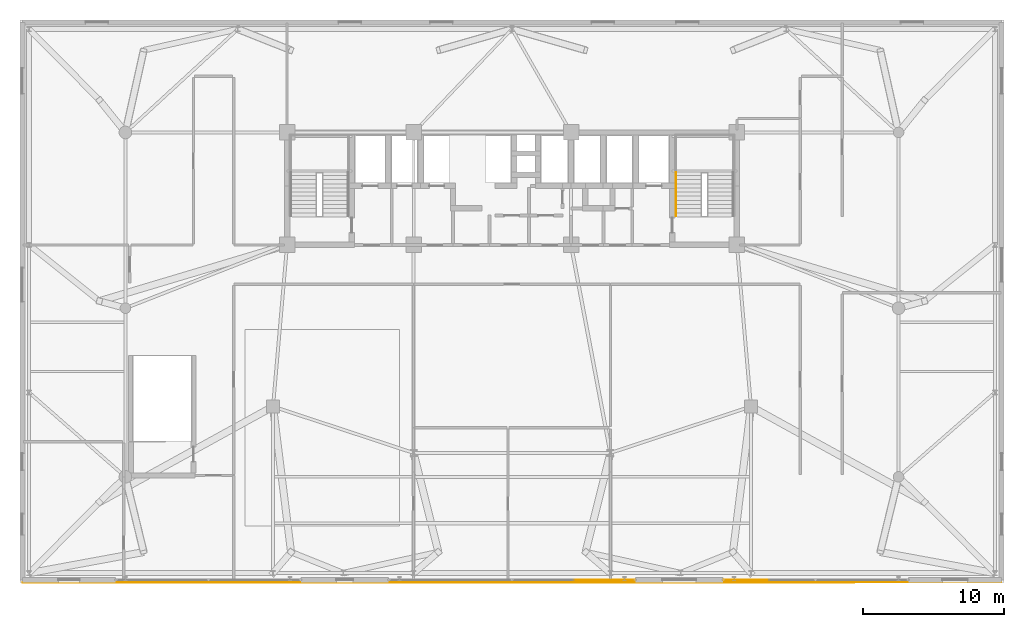
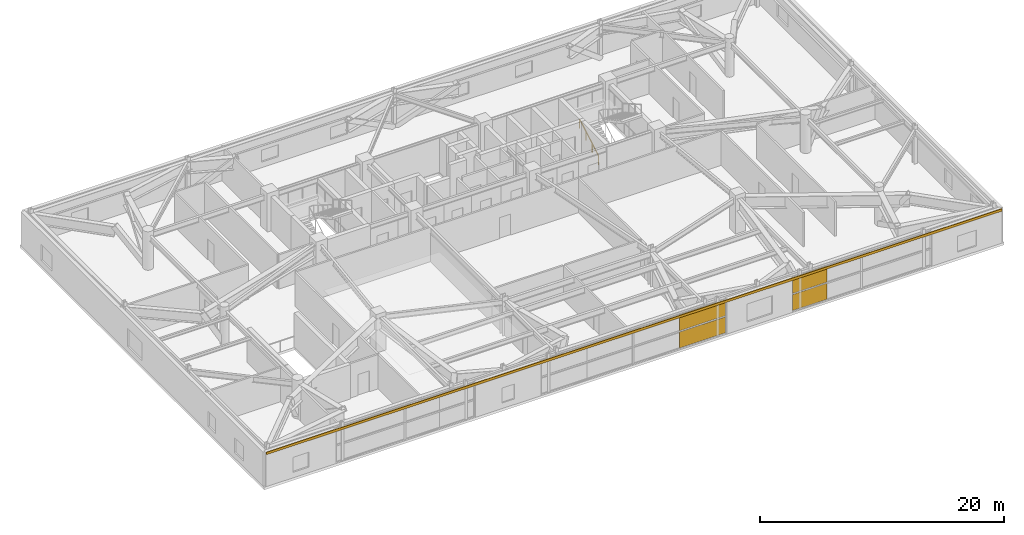
# One storey, part 26 of 27: 5 coverings, 1 railing.
"""IFC4 building model written with IfcOpenShell, lengths in metres."""

import ifcopenshell
import ifcopenshell.guid

model = None  # the IFC model being written
_history = None  # IfcOwnerHistory: only IFC2X3 demands one
_inside = {}  # id of a spatial element -> (the spatial element, [elements in it])
_under = {}  # id of a project, library or spatial element -> (it, [spatial elements below it])
_declared = {}  # id of a project -> (the project, [libraries it declares])
_typed = {}  # id of a type object -> (the type object, [elements of that type])
_made_of = {}  # id of a material, layer set ... -> (it, [elements and type objects made of it])


def new_model(schema):
    """Start an empty IFC model of exactly this schema.

    Asked for "IFC4X3", IfcOpenShell would pick the latest addendum, in which some entities
    have other attributes; the version numbers below select the first issue.
    IFC2X3 requires an IfcOwnerHistory on every rooted entity: one is made here for all.
    """
    global model, _history
    if schema == "IFC4X3":
        model = ifcopenshell.file(schema_version=(4, 3, 0, 0))
    else:
        model = ifcopenshell.file(schema=schema)
    _inside.clear()
    _under.clear()
    _declared.clear()
    _typed.clear()
    _made_of.clear()
    _history = None
    if model.schema == "IFC2X3":
        org = make("IfcOrganization", Name="unknown")
        user = make(
            "IfcPersonAndOrganization",
            ThePerson=make("IfcPerson", FamilyName="unknown"),
            TheOrganization=org,
        )
        app = make(
            "IfcApplication",
            ApplicationDeveloper=org,
            Version="unknown",
            ApplicationFullName="unknown",
            ApplicationIdentifier="unknown",
        )
        _history = make(
            "IfcOwnerHistory",
            OwningUser=user,
            OwningApplication=app,
            ChangeAction="ADDED",
            CreationDate=0,
        )
    return model


def make(cls, **values):
    """One entity of the class cls with the attributes given. An attribute that is None is left unset."""
    return model.create_entity(
        cls, **{name: value for name, value in values.items() if value is not None}
    )


def rooted(cls, **values):
    """An entity with a GlobalId (a new one), such as an element, a storey or a relation."""
    return make(cls, GlobalId=ifcopenshell.guid.new(), OwnerHistory=_history, **values)


def si_unit(unit_type, name, prefix=None):
    """IfcSIUnit, for example si_unit("LENGTHUNIT", "METRE", prefix="MILLI")."""
    return make("IfcSIUnit", UnitType=unit_type, Prefix=prefix, Name=name)


def assignment(units):
    """IfcUnitAssignment: the units of a project."""
    return None if units is None else make("IfcUnitAssignment", Units=units)


def point(xyz):
    """IfcCartesianPoint."""
    return None if xyz is None else make("IfcCartesianPoint", Coordinates=xyz)


def direction(xyz):
    """IfcDirection."""
    return None if xyz is None else make("IfcDirection", DirectionRatios=xyz)


def frame(location, z_axis=None, x_axis=None):
    """IfcAxis2Placement3D, a coordinate frame: its origin and axes. An axis left out is left unset."""
    return make(
        "IfcAxis2Placement3D",
        Location=point(location),
        Axis=direction(z_axis),
        RefDirection=direction(x_axis),
    )


def frame_2d(location, x_axis=None):
    """IfcAxis2Placement2D, a coordinate frame in the plane: its origin and x axis."""
    return make(
        "IfcAxis2Placement2D", Location=point(location), RefDirection=direction(x_axis)
    )


def origin():
    """The frame at (0, 0, 0) with its axes left unset."""
    return frame((0.0, 0.0, 0.0))


def origin_2d():
    """The frame at (0, 0) in the plane with its x axis left unset."""
    return frame_2d((0.0, 0.0))


def place(relative_to, where):
    """IfcLocalPlacement: puts the frame where relative to a parent placement (None: the world)."""
    return make(
        "IfcLocalPlacement", PlacementRelTo=relative_to, RelativePlacement=where
    )


def context(
    kind, dimensions, precision=None, world=None, true_north=None, identifier=None
):
    """IfcGeometricRepresentationContext, for example the 3D "Model" context."""
    return make(
        "IfcGeometricRepresentationContext",
        ContextIdentifier=identifier,
        ContextType=kind,
        CoordinateSpaceDimension=dimensions,
        Precision=precision,
        WorldCoordinateSystem=world,
        TrueNorth=true_north,
    )


def subcontext(parent, identifier, kind, view, scale=None):
    """IfcGeometricRepresentationSubContext, for example "Body" below "Model"."""
    return make(
        "IfcGeometricRepresentationSubContext",
        ContextIdentifier=identifier,
        ContextType=kind,
        ParentContext=parent,
        TargetScale=scale,
        TargetView=view,
    )


def project(units=None, contexts=None):
    """IfcProject with its units and contexts."""
    return rooted(
        "IfcProject",
        Name="project",
        RepresentationContexts=contexts,
        UnitsInContext=assignment(units),
    )


def spatial(cls, under=None, at=None, **own):
    """A site, building, storey or space (cls), placed at a placement, below another one or the project."""
    s = rooted(cls, ObjectPlacement=at, **own)
    if under is not None:
        _under.setdefault(under.id(), (under, []))[1].append(s)
    return s


def profile(cls, at=None, kind="AREA", **sizes):
    """A parametric profile (cls). Its sizes go by their IFC names, for example OverallWidth=200.0."""
    return make(cls, ProfileType=kind, Position=at, **sizes)


def rectangle(**sizes):
    """IfcRectangleProfileDef."""
    return profile("IfcRectangleProfileDef", **sizes)


def extrude(swept, where, along, depth):
    """IfcExtrudedAreaSolid: the profile swept, set in the frame where, extruded along a direction by depth."""
    return make(
        "IfcExtrudedAreaSolid",
        SweptArea=swept,
        Position=where,
        ExtrudedDirection=direction(along),
        Depth=depth,
    )


def shape(context_of_items, identifier, shape_type, items):
    """IfcShapeRepresentation: the items that make up one representation, for example the "Body"."""
    return make(
        "IfcShapeRepresentation",
        ContextOfItems=context_of_items,
        RepresentationIdentifier=identifier,
        RepresentationType=shape_type,
        Items=items,
    )


def source(mapping_origin, context_of_items, identifier, shape_type, items):
    """IfcRepresentationMap: a shape defined once, which mapped items show again and again."""
    return make(
        "IfcRepresentationMap",
        MappingOrigin=mapping_origin,
        MappedRepresentation=shape(context_of_items, identifier, shape_type, items),
    )


def transform(
    local_origin,
    x_axis=None,
    y_axis=None,
    z_axis=None,
    scale=None,
    scale2=None,
    scale3=None,
    uniform=True,
):
    """IfcCartesianTransformationOperator3D, or its non-uniform kind. x_axis, y_axis, z_axis: its Axis1, 2, 3."""
    if uniform:
        return make(
            "IfcCartesianTransformationOperator3D",
            Axis1=direction(x_axis),
            Axis2=direction(y_axis),
            LocalOrigin=point(local_origin),
            Scale=scale,
            Axis3=direction(z_axis),
        )
    return make(
        "IfcCartesianTransformationOperator3DnonUniform",
        Axis1=direction(x_axis),
        Axis2=direction(y_axis),
        LocalOrigin=point(local_origin),
        Scale=scale,
        Axis3=direction(z_axis),
        Scale2=scale2,
        Scale3=scale3,
    )


def mapped(mapping_source, mapping_target):
    """IfcMappedItem: shows the shape of a source again, moved by a transform."""
    return make(
        "IfcMappedItem", MappingSource=mapping_source, MappingTarget=mapping_target
    )


def material(Name=None, Category=None):
    """IfcMaterial."""
    return make("IfcMaterial", Name=Name, Category=Category)


def layer(
    of_material, thickness, ventilated=None, Name=None, Category=None, Priority=None
):
    """IfcMaterialLayer: one layer of a wall or slab, of a material (None: an air gap)."""
    return make(
        "IfcMaterialLayer",
        Material=of_material,
        LayerThickness=thickness,
        IsVentilated=ventilated,
        Name=Name,
        Category=Category,
        Priority=Priority,
    )


def layer_set(layers, Name=None):
    """IfcMaterialLayerSet."""
    return make("IfcMaterialLayerSet", MaterialLayers=layers, LayerSetName=Name)


def made_of(thing, what):
    """Note that an element or type object is made of a material, layer set ...; save() writes the relation."""
    if what is not None:
        _made_of.setdefault(what.id(), (what, []))[1].append(thing)
    return thing


def type_object(cls, material=None, **own):
    """A type object (cls), such as IfcWallType, which elements share."""
    return made_of(rooted(cls, **own), material)


def element(
    cls,
    number,
    at=None,
    inside=None,
    cuts=None,
    type_object=None,
    material=None,
    context=None,
    identifier="Body",
    shape_type=None,
    held_by="IfcProductDefinitionShape",
    body=None,
    shapes=None,
    **own,
):
    """One element of the class cls, such as IfcWall. Its Tag is "e" and its number.

    at: its placement. inside: the storey or other place that contains it. cuts: it is an
    opening in that element (IfcRelVoidsElement). A single representation is given by context,
    identifier, shape_type and body (its items); several are given by shapes. held_by: the class
    of the entity that holds the representations. save() writes the other relations.
    """
    e = rooted(cls, Tag="e%d" % number, ObjectPlacement=at, **own)
    if body is not None:
        shapes = [shape(context, identifier, shape_type, body)]
    if shapes is not None:
        e.Representation = make(held_by, Representations=shapes)
    if inside is not None:
        _inside.setdefault(inside.id(), (inside, []))[1].append(e)
    if cuts is not None:
        rooted(
            "IfcRelVoidsElement", RelatingBuildingElement=cuts, RelatedOpeningElement=e
        )
    if type_object is not None:
        _typed.setdefault(type_object.id(), (type_object, []))[1].append(e)
    return made_of(e, material)


def aggregate(whole, parts):
    """IfcRelAggregates: a whole, such as a stair, and the parts it consists of."""
    return rooted("IfcRelAggregates", RelatingObject=whole, RelatedObjects=parts)


def save(model, path):
    """Write the relations noted so far, then the file.

    IfcRelAggregates (storeys below a building ...), IfcRelContainedInSpatialStructure (elements
    in a storey), IfcRelDefinesByType, IfcRelAssociatesMaterial and IfcRelDeclares: one each for
    every whole, place, type object, material and project.
    """
    for whole, parts in _under.values():
        aggregate(whole, parts)
    for where, things in _inside.values():
        rooted(
            "IfcRelContainedInSpatialStructure",
            RelatedElements=things,
            RelatingStructure=where,
        )
    for kind, things in _typed.values():
        rooted("IfcRelDefinesByType", RelatedObjects=things, RelatingType=kind)
    for what, things in _made_of.values():
        rooted("IfcRelAssociatesMaterial", RelatedObjects=things, RelatingMaterial=what)
    for by, libraries in _declared.values():
        rooted("IfcRelDeclares", RelatingContext=by, RelatedDefinitions=libraries)
    model.write(path)


model = new_model("IFC4")

# Units and contexts
model_context = context("Model", 3, precision=1e-05, world=origin(), true_north=direction((0.0, 1.0)))
body_context = subcontext(model_context, "Body", "Model", "MODEL_VIEW")
ifc_project = project(units=[si_unit("LENGTHUNIT", "METRE"), si_unit("AREAUNIT", "SQUARE_METRE"), si_unit("VOLUMEUNIT", "CUBIC_METRE"), si_unit("PLANEANGLEUNIT", "RADIAN"), si_unit("MASSUNIT", "GRAM", prefix="KILO")], contexts=[model_context])

# Site, building, storey
site_placement = place(None, origin())
site = spatial("IfcSite", under=ifc_project, at=site_placement, CompositionType="ELEMENT")
building_placement = place(site_placement, origin())
building = spatial("IfcBuilding", under=site, at=building_placement, Name="Taldren Reach Tower", CompositionType="ELEMENT")
storey_placement = place(building_placement, frame((0.0, 0.0, 12.949951171875)))
storey = spatial("IfcBuildingStorey", under=building, at=storey_placement, Name="L03", CompositionType="ELEMENT", Elevation=12.949951171875)

# Railing
ifc_material_1 = material(Name="Stainless Steel Gr 316", Category="steel")
ifc_layer_1 = layer(ifc_material_1, 0.048095703125)
ifc_layer_set_1 = layer_set([ifc_layer_1], Name="Stainless Steel Gr 316")
railing_type = type_object("IfcRailingType", Name="RL-STAIR-HR", PredefinedType="HANDRAIL", material=ifc_layer_set_1)
railing_placement = place(storey_placement, frame((46.669921875, 26.050048828125, 0.160400390625)))
element("IfcRailing", 1, at=railing_placement, inside=storey, type_object=railing_type, Name="Stair flight handrail ST2-L03-1", PredefinedType="HANDRAIL", context=body_context, shape_type="SweptSolid", body=[
    extrude(rectangle(XDim=0.047852, YDim=0.047852, at=origin_2d()), frame((0.0, 0.0, 0.89599609375), z_axis=(0.0, 0.868023234622, 0.496523578652), x_axis=(-1.0, 0.0, 0.0)), (0.0, 0.0, 1.0), 3.553955078125),
    extrude(rectangle(XDim=0.041992, YDim=0.041992, at=origin_2d()), origin(), (0.0, 0.0, 1.0), 0.871826171875),
    extrude(rectangle(XDim=0.041992, YDim=0.041992, at=origin_2d()), frame((0.0, 1.0283203125, 0.588134765625)), (0.0, 0.0, 1.0), 0.871826171875),
    extrude(rectangle(XDim=0.041992, YDim=0.041992, at=origin_2d()), frame((0.0, 2.056640625, 1.176513671875)), (0.0, 0.0, 1.0), 0.871826171875),
    extrude(rectangle(XDim=0.041992, YDim=0.041992, at=origin_2d()), frame((0.0, 3.0849609375, 1.7646484375)), (0.0, 0.0, 1.0), 0.871826171875),
])

# Coverings
ifc_material_2 = material(Name="Pale Champagne Fluoropolymer Aluminium Spandrel Cladding", Category="aluminium")
ifc_layer_2 = layer(ifc_material_2, 0.06005859375)
ifc_layer_set_2 = layer_set([ifc_layer_2], Name="Pale Champagne Fluoropolymer Aluminium Spandrel Cladding")
covering_type_1 = type_object("IfcCoveringType", Name="CV-CLAD-060", PredefinedType="CLADDING", material=ifc_layer_set_2)
shared_shape_1 = source(origin(), body_context, "Body", "SweptSolid", [
    extrude(rectangle(XDim=69.60009765625, YDim=0.06005859375, at=origin_2d()), origin(), (0.0, 0.0, 1.0), 0.239990234375),
])
covering_placement = place(storey_placement, frame((35.0, -0.02001953125, 3.22998046875), z_axis=(0.0, 0.0, 1.0), x_axis=(1.0, 0.0, 0.0)))
element("IfcCovering", 2, at=covering_placement, inside=storey, type_object=covering_type_1, Name="Pale-metal spandrel cladding L03", PredefinedType="CLADDING", context=body_context, shape_type="MappedRepresentation", body=[
    mapped(shared_shape_1, transform((0.0, 0.0, 0.0), scale=1.0)),
])
ifc_layer_3 = layer(ifc_material_2, 0.0439453125)
ifc_layer_set_3 = layer_set([ifc_layer_3], Name="Pale Champagne Fluoropolymer Aluminium Spandrel Cladding")
covering_type_2 = type_object("IfcCoveringType", Name="CV-CLAD-044", PredefinedType="CLADDING", material=ifc_layer_set_3)
shared_shape_2 = source(origin(), body_context, "Body", "SweptSolid", [
    extrude(rectangle(XDim=3.24755859375, YDim=0.0439453125, at=origin_2d()), origin(), (0.0, 0.0, 1.0), 1.594970703125),
])
for number, where, z_axis, x_axis, name in (
    (3, (51.69384765625, 0.169921875, 0.06005859375), (0.0, 0.0, 1.0), (1.0, 0.0, 0.0), "Diagrid closure cladding strip CW-1 panel 1.1 1"),
    (4, (51.69384765625, 0.169921875, 1.77490234375), (0.0, 0.0, 1.0), (1.0, 0.0, 0.0), "Diagrid closure cladding strip CW-1 panel 1.1 1"),
):
    element("IfcCovering", number, at=place(storey_placement, frame(where, z_axis=z_axis, x_axis=x_axis)), inside=storey, type_object=covering_type_2, Name=name, PredefinedType="CLADDING", context=body_context, shape_type="MappedRepresentation", body=[
        mapped(shared_shape_2, transform((0.0, 0.0, 0.0), scale=1.0)),
    ])
shared_shape_3 = source(origin(), body_context, "Body", "SweptSolid", [
    extrude(rectangle(XDim=4.347412109375, YDim=0.0439453125, at=origin_2d()), origin(), (0.0, 0.0, 1.0), 1.594970703125),
])
for number, where, z_axis, x_axis, name in (
    (5, (41.55615234375, 0.169921875, 0.06005859375), (0.0, 0.0, 1.0), (1.0, 0.0, 0.0), "Diagrid closure cladding strip CW-1 panel 2.1 1"),
    (6, (41.55615234375, 0.169921875, 1.77490234375), (0.0, 0.0, 1.0), (1.0, 0.0, 0.0), "Diagrid closure cladding strip CW-1 panel 2.1 1"),
):
    element("IfcCovering", number, at=place(storey_placement, frame(where, z_axis=z_axis, x_axis=x_axis)), inside=storey, type_object=covering_type_2, Name=name, PredefinedType="CLADDING", context=body_context, shape_type="MappedRepresentation", body=[
        mapped(shared_shape_3, transform((0.0, 0.0, 0.0), scale=1.0)),
    ])

save(model, "model.ifc")
